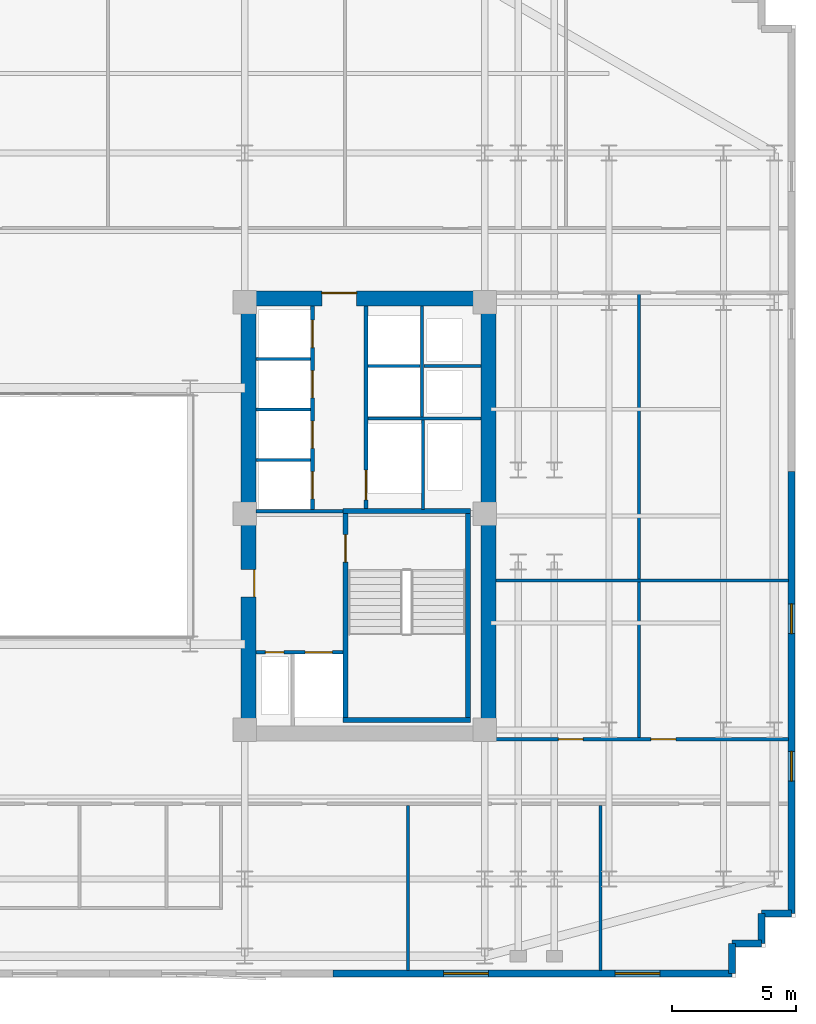
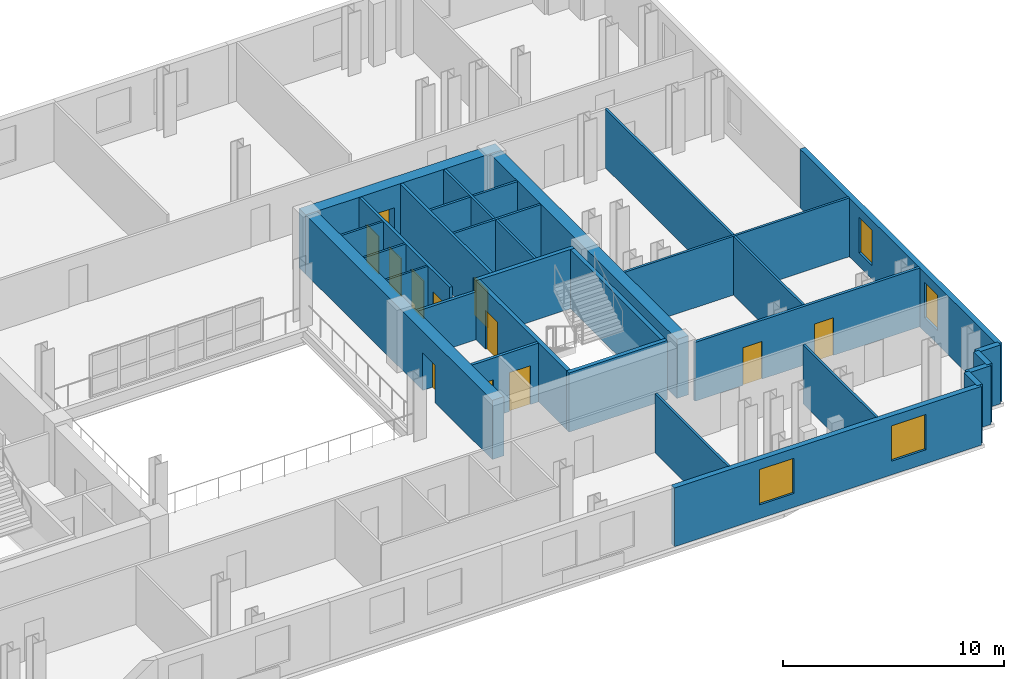
# One storey, part 9 of 12: 30 walls, 12 doors, 4 windows, 16 openings.
"""IFC4 building model written with IfcOpenShell, lengths in metres."""

from ifc_helpers import new_model, si_unit, direction, frame, frame_2d, origin, place, context, subcontext, project, spatial, rectangle, extrude, material, layer, layer_set, type_object, element, fill, save


model = new_model("IFC4")

# Units and contexts
model_context = context("Model", 3, precision=1e-05, world=origin(), true_north=direction((0.0, 1.0)))
body_context = subcontext(model_context, "Body", "Model", "MODEL_VIEW")
ifc_project = project(units=[si_unit("LENGTHUNIT", "METRE"), si_unit("AREAUNIT", "SQUARE_METRE"), si_unit("VOLUMEUNIT", "CUBIC_METRE"), si_unit("PLANEANGLEUNIT", "RADIAN"), si_unit("MASSUNIT", "GRAM", prefix="KILO")], contexts=[model_context])

# Site, building, storey
site_placement = place(None, origin())
site = spatial("IfcSite", under=ifc_project, at=site_placement, CompositionType="ELEMENT")
building_placement = place(site_placement, origin())
building = spatial("IfcBuilding", under=site, at=building_placement, Name="Velakula Bourse", CompositionType="ELEMENT")
storey_placement = place(building_placement, frame((0.0, 0.0, 148.449951171875)))
storey = spatial("IfcBuildingStorey", under=building, at=storey_placement, Name="L40", CompositionType="ELEMENT", Elevation=148.449951171875)

# Wall, opening, door
ifc_material_1 = material(Name="Concrete M50 (fck 50 MPa)", Category="concrete")
ifc_layer_1 = layer(ifc_material_1, 0.2099609375, Name="Concrete M50 (fck 50 MPa)", Category="concrete")
ifc_layer_set_1 = layer_set([ifc_layer_1], Name="Concrete M50 (fck 50 MPa)")
wall_type_1 = type_object("IfcWallType", Name="WL-CORE-210", PredefinedType="SHEAR", material=ifc_layer_set_1)
wall_1_placement = place(storey_placement, frame((12.9951171875, -8.10009765625, 0.0), z_axis=(0.0, 0.0, 1.0), x_axis=(0.0, 1.0, 0.0)))
wall_1 = element("IfcWall", 1, at=wall_1_placement, inside=storey, type_object=wall_type_1, Name="L40 Core E Stairwell Shear Wall IN", PredefinedType="SHEAR", context=body_context, shape_type="SweptSolid", body=[
    extrude(rectangle(XDim=8.2001953125, YDim=0.2099609375, at=frame_2d((4.10009765625, 0.0))), origin(), (0.0, 0.0, 1.0), 3.27001953125),
])
opening_1_placement = place(wall_1_placement, frame((6.25, 0.0, 0.0)))
opening_1 = element("IfcOpeningElement", 2, at=opening_1_placement, cuts=wall_1, Name="Opening D-STE1", PredefinedType="OPENING", context=body_context, shape_type="SweptSolid", body=[
    extrude(rectangle(XDim=1.10009765625, YDim=2.14990234375, at=frame_2d((0.550048828125, 1.074951171875))), frame((0.0, 0.114990234375, 0.0), z_axis=(0.0, -1.0, 0.0), x_axis=(1.0, 0.0, 0.0)), (0.0, 0.0, 1.0), 0.22998046875),
])
ifc_material_2 = material(Name="Galvanised painted hollow steel fire door", Category="steel")
door_type_1 = type_object("IfcDoorType", Name="DR-FD120-1100x2150", OperationType="NOTDEFINED", PredefinedType="DOOR", material=ifc_material_2)
door_1_placement = place(opening_1_placement, origin())
door_1 = element("IfcDoor", 3, at=door_1_placement, inside=storey, type_object=door_type_1, Name="L40 Stair ST-E1 Fire Door", OperationType="SINGLE_SWING_RIGHT", OverallHeight=2.14990234375, OverallWidth=1.10009765625, PredefinedType="DOOR", context=body_context, shape_type="SweptSolid", body=[
    extrude(rectangle(XDim=1.10009765625, YDim=2.14990234375, at=frame_2d((0.550048828125, 1.074951171875))), frame((0.0, 0.02490234375, 0.0), z_axis=(0.0, -1.0, 0.0), x_axis=(1.0, 0.0, 0.0)), (0.0, 0.0, 1.0), 0.050048828125),
])
fill(opening_1, door_1)

# Walls
wall_2_placement = place(storey_placement, frame((17.925048828125, -8.10009765625, 0.0), z_axis=(0.0, 0.0, 1.0), x_axis=(0.0, 1.0, 0.0)))
element("IfcWall", 4, at=wall_2_placement, inside=storey, type_object=wall_type_1, Name="L40 Core E Stairwell Shear Wall OUT", PredefinedType="SHEAR", context=body_context, shape_type="SweptSolid", body=[
    extrude(rectangle(XDim=8.2001953125, YDim=0.2099609375, at=frame_2d((4.10009765625, 0.0))), origin(), (0.0, 0.0, 1.0), 3.27001953125),
])
for number, where, z_axis, x_axis, name in (
    (5, (12.889892578125, -8.205078125, 0.0), (0.0, 0.0, 1.0), (1.0, 0.0, 0.0), "L40 Core E Stairwell Shear Wall S"),
    (6, (18.030029296875, 0.205078125, 0.0), (0.0, 0.0, 1.0), (-1.0, 0.0, 0.0), "L40 Core E Stairwell Shear Wall N"),
):
    element("IfcWall", number, at=place(storey_placement, frame(where, z_axis=z_axis, x_axis=x_axis)), inside=storey, type_object=wall_type_1, Name=name, PredefinedType="SHEAR", context=body_context, shape_type="SweptSolid", body=[
        extrude(rectangle(XDim=5.14013671875, YDim=0.2099609375, at=frame_2d((2.570068359375, 0.0))), origin(), (0.0, 0.0, 1.0), 3.27001953125),
    ])

# Wall, opening, door
ifc_material_3 = material(Name="Concrete M70 (fck 70 MPa)", Category="concrete")
ifc_layer_2 = layer(ifc_material_3, 0.60009765625, Name="Concrete M70 (fck 70 MPa)", Category="concrete")
ifc_layer_set_2 = layer_set([ifc_layer_2], Name="Concrete M70 (fck 70 MPa)")
wall_type_2 = type_object("IfcWallType", Name="WL-CORE-600", PredefinedType="SHEAR", material=ifc_layer_set_2)
wall_3_placement = place(storey_placement, frame((8.800048828125, 8.75, 0.0), z_axis=(0.0, 0.0, 1.0), x_axis=(1.0, 0.0, 0.0)))
wall_3 = element("IfcWall", 7, at=wall_3_placement, inside=storey, type_object=wall_type_2, Name="L40 Core E Shear Wall N", PredefinedType="SHEAR", context=body_context, shape_type="SweptSolid", body=[
    extrude(rectangle(XDim=10.25, YDim=0.60009765625, at=frame_2d((5.125, 0.0))), origin(), (0.0, 0.0, 1.0), 3.27001953125),
])
opening_2_placement = place(wall_3_placement, frame((3.25, 0.0, 0.0)))
opening_2 = element("IfcOpeningElement", 8, at=opening_2_placement, cuts=wall_3, Name="Opening D-LLE", PredefinedType="OPENING", context=body_context, shape_type="SweptSolid", body=[
    extrude(rectangle(XDim=1.39990234375, YDim=2.050048828125, at=frame_2d((0.699951171875, 1.02490234375))), frame((0.0, 0.31005859375, 0.0), z_axis=(0.0, -1.0, 0.0), x_axis=(1.0, 0.0, 0.0)), (0.0, 0.0, 1.0), 0.6201171875),
])
ifc_material_4 = material(Name="Fire-rated hardwood flush architectural door", Category="wood")
door_type_2 = type_object("IfcDoorType", Name="DR-DBL-FD60-1400", OperationType="DOUBLE_DOOR_SINGLE_SWING", PredefinedType="DOOR", material=ifc_material_4)
door_2_placement = place(opening_2_placement, origin())
door_2 = element("IfcDoor", 9, at=door_2_placement, inside=storey, type_object=door_type_2, Name="L40 Core E Lift Lobby Corridor Double Door", OperationType="DOUBLE_DOOR_SINGLE_SWING", OverallHeight=2.050048828125, OverallWidth=1.39990234375, PredefinedType="DOOR", context=body_context, shape_type="SweptSolid", body=[
    extrude(rectangle(XDim=1.39990234375, YDim=2.050048828125, at=frame_2d((0.699951171875, 1.02490234375))), frame((0.0, 0.2451171875, 0.0), z_axis=(0.0, -1.0, 0.0), x_axis=(1.0, 0.0, 0.0)), (0.0, 0.0, 1.0), 0.050048828125),
])
fill(opening_2, door_2)

wall_4_placement = place(storey_placement, frame((9.10009765625, -8.449951171875, 0.0), z_axis=(0.0, 0.0, 1.0), x_axis=(0.0, 1.0, 0.0)))
wall_4 = element("IfcWall", 10, at=wall_4_placement, inside=storey, type_object=wall_type_2, Name="L40 Core E Shear Wall W", PredefinedType="SHEAR", context=body_context, shape_type="SweptSolid", body=[
    extrude(rectangle(XDim=16.89990234375, YDim=0.60009765625, at=frame_2d((8.449951171875, 0.0))), origin(), (0.0, 0.0, 1.0), 3.27001953125),
])
opening_3_placement = place(wall_4_placement, frame((5.199951171875, 0.0, 0.0)))
opening_3 = element("IfcOpeningElement", 11, at=opening_3_placement, cuts=wall_4, Name="Opening D-FLE", PredefinedType="OPENING", context=body_context, shape_type="SweptSolid", body=[
    extrude(rectangle(XDim=1.10009765625, YDim=2.080078125, at=frame_2d((0.550048828125, 1.0400390625))), frame((0.0, 0.31005859375, 0.0), z_axis=(0.0, -1.0, 0.0), x_axis=(1.0, 0.0, 0.0)), (0.0, 0.0, 1.0), 0.6201171875),
])
door_type_3 = type_object("IfcDoorType", Name="DR-FD120-1100", OperationType="NOTDEFINED", PredefinedType="DOOR", material=ifc_material_2)
door_3_placement = place(opening_3_placement, origin())
door_3 = element("IfcDoor", 12, at=door_3_placement, inside=storey, type_object=door_type_3, Name="L40 Firefighting Lobby E Corridor Fire Door", OperationType="SINGLE_SWING_RIGHT", OverallHeight=2.080078125, OverallWidth=1.10009765625, PredefinedType="DOOR", context=body_context, shape_type="SweptSolid", body=[
    extrude(rectangle(XDim=1.10009765625, YDim=2.080078125, at=frame_2d((0.550048828125, 1.0400390625))), frame((0.0, -0.205078125, 0.0), z_axis=(0.0, -1.0, 0.0), x_axis=(1.0, 0.0, 0.0)), (0.0, 0.0, 1.0), 0.050048828125),
])
fill(opening_3, door_3)

# Wall
wall_5_placement = place(storey_placement, frame((18.75, -8.449951171875, 0.0), z_axis=(0.0, 0.0, 1.0), x_axis=(0.0, 1.0, 0.0)))
element("IfcWall", 13, at=wall_5_placement, inside=storey, type_object=wall_type_2, Name="L40 Core E Shear Wall E", PredefinedType="SHEAR", context=body_context, shape_type="SweptSolid", body=[
    extrude(rectangle(XDim=16.89990234375, YDim=0.60009765625, at=frame_2d((8.449951171875, 0.0))), origin(), (0.0, 0.0, 1.0), 3.27001953125),
])

# Wall, openings, windows
ifc_material_5 = material(Name="Red kilned clay facing brick masonry", Category="masonry")
ifc_layer_3 = layer(ifc_material_5, 0.280029296875, Name="Red kilned clay facing brick masonry", Category="masonry")
ifc_layer_set_3 = layer_set([ifc_layer_3], Name="Red kilned clay facing brick masonry")
wall_type_3 = type_object("IfcWallType", Name="WL-EXT-BRK-280", PredefinedType="STANDARD", material=ifc_layer_set_3)
wall_6_placement = place(storey_placement, frame((28.5400390625, -18.389892578125, 0.0), z_axis=(0.0, 0.0, 1.0), x_axis=(-1.0, 0.0, 0.0)))
wall_6 = element("IfcWall", 14, at=wall_6_placement, inside=storey, type_object=wall_type_3, Name="L40 S Brick Spandrel Wall B5", PredefinedType="STANDARD", context=body_context, shape_type="SweptSolid", body=[
    extrude(rectangle(XDim=16.0400390625, YDim=0.280029296875, at=frame_2d((8.02001953125, 0.0))), origin(), (0.0, 0.0, 1.0), 3.25),
])
opening_4_placement = place(wall_6_placement, frame((2.896728515625, 0.0, 0.760009765625)))
opening_4 = element("IfcOpeningElement", 15, at=opening_4_placement, cuts=wall_6, Name="Opening W-01", PredefinedType="OPENING", context=body_context, shape_type="SweptSolid", body=[
    extrude(rectangle(XDim=1.800048828125, YDim=1.949951171875, at=frame_2d((0.89990234375, 0.97509765625))), frame((0.0, 0.14990234375, 0.0), z_axis=(0.0, -1.0, 0.0), x_axis=(1.0, 0.0, 0.0)), (0.0, 0.0, 1.0), 0.300048828125),
])
opening_5_placement = place(wall_6_placement, frame((9.793212890625, 0.0, 0.760009765625)))
opening_5 = element("IfcOpeningElement", 16, at=opening_5_placement, cuts=wall_6, Name="Opening W-01", PredefinedType="OPENING", context=body_context, shape_type="SweptSolid", body=[
    extrude(rectangle(XDim=1.800048828125, YDim=1.949951171875, at=frame_2d((0.89990234375, 0.97509765625))), frame((0.0, 0.14990234375, 0.0), z_axis=(0.0, -1.0, 0.0), x_axis=(1.0, 0.0, 0.0)), (0.0, 0.0, 1.0), 0.300048828125),
])
ifc_material_6 = material(Name="Double-glazed solar-control Low-E glass", Category="glass")
window_type_1 = type_object("IfcWindowType", Name="WIN-TWR-1800x2100", PartitioningType="SINGLE_PANEL", PredefinedType="WINDOW", material=ifc_material_6)
window_1_placement = place(opening_4_placement, origin())
window_1 = element("IfcWindow", 17, at=window_1_placement, inside=storey, type_object=window_type_1, Name="L40 Deep-Set Recessed Window 1", OverallHeight=1.949951171875, OverallWidth=1.800048828125, PartitioningType="SINGLE_PANEL", PredefinedType="WINDOW", context=body_context, shape_type="SweptSolid", body=[
    extrude(rectangle(XDim=1.800048828125, YDim=1.949951171875, at=frame_2d((0.89990234375, 0.97509765625))), frame((0.0, 0.030029296875, 0.0), z_axis=(0.0, -1.0, 0.0), x_axis=(1.0, 0.0, 0.0)), (0.0, 0.0, 1.0), 0.06005859375),
])
fill(opening_4, window_1)
window_2_placement = place(opening_5_placement, origin())
window_2 = element("IfcWindow", 18, at=window_2_placement, inside=storey, type_object=window_type_1, Name="L40 Deep-Set Recessed Window 2", OverallHeight=1.949951171875, OverallWidth=1.800048828125, PartitioningType="SINGLE_PANEL", PredefinedType="WINDOW", context=body_context, shape_type="SweptSolid", body=[
    extrude(rectangle(XDim=1.800048828125, YDim=1.949951171875, at=frame_2d((0.89990234375, 0.97509765625))), frame((0.0, 0.030029296875, 0.0), z_axis=(0.0, -1.0, 0.0), x_axis=(1.0, 0.0, 0.0)), (0.0, 0.0, 1.0), 0.06005859375),
])
fill(opening_5, window_2)

wall_7_placement = place(storey_placement, frame((30.93994140625, 1.800048828125, 0.0), z_axis=(0.0, 0.0, 1.0), x_axis=(0.0, -1.0, 0.0)))
wall_7 = element("IfcWall", 19, at=wall_7_placement, inside=storey, type_object=wall_type_3, Name="L40 E Brick End Wall W1", PredefinedType="STANDARD", context=body_context, shape_type="SweptSolid", body=[
    extrude(rectangle(XDim=17.7900390625, YDim=0.280029296875, at=frame_2d((8.89501953125, 0.0))), origin(), (0.0, 0.0, 1.0), 3.25),
])
opening_6_placement = place(wall_7_placement, frame((5.330078125, 0.0, 0.760009765625)))
opening_6 = element("IfcOpeningElement", 20, at=opening_6_placement, cuts=wall_7, Name="Opening W-04", PredefinedType="OPENING", context=body_context, shape_type="SweptSolid", body=[
    extrude(rectangle(XDim=1.199951171875, YDim=1.949951171875, at=frame_2d((0.60009765625, 0.97509765625))), frame((0.0, 0.14990234375, 0.0), z_axis=(0.0, -1.0, 0.0), x_axis=(1.0, 0.0, 0.0)), (0.0, 0.0, 1.0), 0.300048828125),
])
opening_7_placement = place(wall_7_placement, frame((11.260009765625, 0.0, 0.760009765625)))
opening_7 = element("IfcOpeningElement", 21, at=opening_7_placement, cuts=wall_7, Name="Opening W-04", PredefinedType="OPENING", context=body_context, shape_type="SweptSolid", body=[
    extrude(rectangle(XDim=1.199951171875, YDim=1.949951171875, at=frame_2d((0.60009765625, 0.97509765625))), frame((0.0, 0.14990234375, 0.0), z_axis=(0.0, -1.0, 0.0), x_axis=(1.0, 0.0, 0.0)), (0.0, 0.0, 1.0), 0.300048828125),
])
window_type_2 = type_object("IfcWindowType", Name="WIN-TWR-1200x2100", PartitioningType="SINGLE_PANEL", PredefinedType="WINDOW", material=ifc_material_6)
window_3_placement = place(opening_6_placement, origin())
window_3 = element("IfcWindow", 22, at=window_3_placement, inside=storey, type_object=window_type_2, Name="L40 Deep-Set Recessed Window 1", OverallHeight=1.949951171875, OverallWidth=1.199951171875, PartitioningType="SINGLE_PANEL", PredefinedType="WINDOW", context=body_context, shape_type="SweptSolid", body=[
    extrude(rectangle(XDim=1.199951171875, YDim=1.949951171875, at=frame_2d((0.60009765625, 0.97509765625))), frame((0.0, 0.030029296875, 0.0), z_axis=(0.0, -1.0, 0.0), x_axis=(1.0, 0.0, 0.0)), (0.0, 0.0, 1.0), 0.06005859375),
])
fill(opening_6, window_3)
window_4_placement = place(opening_7_placement, origin())
window_4 = element("IfcWindow", 23, at=window_4_placement, inside=storey, type_object=window_type_2, Name="L40 Deep-Set Recessed Window 2", OverallHeight=1.949951171875, OverallWidth=1.199951171875, PartitioningType="SINGLE_PANEL", PredefinedType="WINDOW", context=body_context, shape_type="SweptSolid", body=[
    extrude(rectangle(XDim=1.199951171875, YDim=1.949951171875, at=frame_2d((0.60009765625, 0.97509765625))), frame((0.0, 0.030029296875, 0.0), z_axis=(0.0, -1.0, 0.0), x_axis=(1.0, 0.0, 0.0)), (0.0, 0.0, 1.0), 0.06005859375),
])
fill(opening_7, window_4)

# Walls
for number, where, z_axis, x_axis, name in (
    (24, (28.5400390625, -18.389892578125, 0.0), (0.0, 0.0, 1.0), (0.0, 1.0, 0.0), "L40 Serrated Corner Brick Wall SE-1"),
    (25, (28.5400390625, -17.18994140625, 0.0), (0.0, 0.0, 1.0), (1.0, 0.0, 0.0), "L40 Serrated Corner Brick Wall SE-2"),
    (26, (29.739990234375, -17.18994140625, 0.0), (0.0, 0.0, 1.0), (0.0, 1.0, 0.0), "L40 Serrated Corner Brick Wall SE-3"),
    (27, (29.739990234375, -15.989990234375, 0.0), (0.0, 0.0, 1.0), (1.0, 0.0, 0.0), "L40 Serrated Corner Brick Wall SE-4"),
):
    element("IfcWall", number, at=place(storey_placement, frame(where, z_axis=z_axis, x_axis=x_axis)), inside=storey, type_object=wall_type_3, Name=name, PredefinedType="STANDARD", context=body_context, shape_type="SweptSolid", body=[
        extrude(rectangle(XDim=1.199951171875, YDim=0.280029296875, at=frame_2d((0.60009765625, 0.0))), origin(), (0.0, 0.0, 1.0), 3.25),
    ])
ifc_material_7 = material(Name="Fire-rated double-layer gypsum drywall partition", Category="gypsum")
ifc_layer_4 = layer(ifc_material_7, 0.1201171875, Name="Fire-rated double-layer gypsum drywall partition", Category="gypsum")
ifc_layer_set_4 = layer_set([ifc_layer_4], Name="Fire-rated double-layer gypsum drywall partition")
wall_type_4 = type_object("IfcWallType", Name="WL-PART-120", PredefinedType="STANDARD", material=ifc_layer_set_4)
for number, where, z_axis, x_axis, name in (
    (28, (9.39990234375, 2.2548828125, 0.0), (0.0, 0.0, 1.0), (1.0, 0.0, 0.0), "L40 Interior Partition WL-CRE-L40-BDIV-0"),
    (29, (9.39990234375, 4.284912109375, 0.0), (0.0, 0.0, 1.0), (1.0, 0.0, 0.0), "L40 Interior Partition WL-CRE-L40-BDIV-1"),
    (30, (9.39990234375, 6.31494140625, 0.0), (0.0, 0.0, 1.0), (1.0, 0.0, 0.0), "L40 Interior Partition WL-CRE-L40-BDIV-2"),
):
    element("IfcWall", number, at=place(storey_placement, frame(where, z_axis=z_axis, x_axis=x_axis)), inside=storey, type_object=wall_type_4, Name=name, PredefinedType="STANDARD", context=body_context, shape_type="SweptSolid", body=[
        extrude(rectangle(XDim=2.2001953125, YDim=0.110107421875, at=frame_2d((1.10009765625, 0.0))), origin(), (0.0, 0.0, 1.0), 3.25),
    ])
wall_8_placement = place(storey_placement, frame((13.89990234375, 3.919921875, 0.0), z_axis=(0.0, 0.0, 1.0), x_axis=(1.0, 0.0, 0.0)))
element("IfcWall", 31, at=wall_8_placement, inside=storey, type_object=wall_type_4, Name="L40 Interior Partition WL-CRE-L40-HI-S", PredefinedType="STANDARD", context=body_context, shape_type="SweptSolid", body=[
    extrude(rectangle(XDim=4.550048828125, YDim=0.1201171875, at=frame_2d((2.27490234375, 0.0))), origin(), (0.0, 0.0, 1.0), 3.25),
])
wall_9_placement = place(storey_placement, frame((16.14990234375, 6.030029296875, 0.0), z_axis=(0.0, 0.0, 1.0), x_axis=(1.0, 0.0, 0.0)))
element("IfcWall", 32, at=wall_9_placement, inside=storey, type_object=wall_type_4, Name="L40 Interior Partition WL-CRE-L40-RIS-MID", PredefinedType="STANDARD", context=body_context, shape_type="SweptSolid", body=[
    extrude(rectangle(XDim=2.300048828125, YDim=0.1201171875, at=frame_2d((1.14990234375, 0.0))), origin(), (0.0, 0.0, 1.0), 3.25),
])
wall_10_placement = place(storey_placement, frame((16.074951171875, 3.97998046875, 0.0), z_axis=(0.0, 0.0, 1.0), x_axis=(0.0, 1.0, 0.0)))
element("IfcWall", 33, at=wall_10_placement, inside=storey, type_object=wall_type_4, Name="L40 Interior Partition WL-CRE-L40-RIS-F", PredefinedType="STANDARD", context=body_context, shape_type="SweptSolid", body=[
    extrude(rectangle(XDim=4.469970703125, YDim=0.1201171875, at=frame_2d((2.23486328125, 0.0))), origin(), (0.0, 0.0, 1.0), 3.25),
])
wall_11_placement = place(storey_placement, frame((13.89990234375, 6.030029296875, 0.0), z_axis=(0.0, 0.0, 1.0), x_axis=(1.0, 0.0, 0.0)))
element("IfcWall", 34, at=wall_11_placement, inside=storey, type_object=wall_type_4, Name="L40 Interior Partition WL-CRE-L40-HI-DIV", PredefinedType="STANDARD", context=body_context, shape_type="SweptSolid", body=[
    extrude(rectangle(XDim=2.10009765625, YDim=0.1201171875, at=frame_2d((1.050048828125, 0.0))), origin(), (0.0, 0.0, 1.0), 3.25),
])
wall_12_placement = place(storey_placement, frame((16.125, 0.27001953125, 0.0), z_axis=(0.0, 0.0, 1.0), x_axis=(0.0, 1.0, 0.0)))
element("IfcWall", 35, at=wall_12_placement, inside=storey, type_object=wall_type_4, Name="L40 Interior Partition WL-CRE-L40-SVL-E", PredefinedType="STANDARD", context=body_context, shape_type="SweptSolid", body=[
    extrude(rectangle(XDim=3.590087890625, YDim=0.1201171875, at=frame_2d((1.794921875, 0.0))), origin(), (0.0, 0.0, 1.0), 3.25),
])
for number, where, z_axis, x_axis, name in (
    (36, (15.510986328125, -18.27001953125, 0.0), (0.0, 0.0, 1.0), (0.0, 1.0, 0.0), "L40 Interior Partition WL-INT-L40-SR-D7"),
    (37, (23.2490234375, -18.27001953125, 0.0), (0.0, 0.0, 1.0), (0.0, 1.0, 0.0), "L40 Interior Partition WL-INT-L40-SR-D8"),
):
    element("IfcWall", number, at=place(storey_placement, frame(where, z_axis=z_axis, x_axis=x_axis)), inside=storey, type_object=wall_type_4, Name=name, PredefinedType="STANDARD", context=body_context, shape_type="SweptSolid", body=[
        extrude(rectangle(XDim=6.630126953125, YDim=0.1201171875, at=frame_2d((3.31494140625, 0.0))), origin(), (0.0, 0.0, 1.0), 3.25),
    ])
wall_13_placement = place(storey_placement, frame((19.050048828125, -2.60009765625, 0.0), z_axis=(0.0, 0.0, 1.0), x_axis=(1.0, 0.0, 0.0)))
element("IfcWall", 38, at=wall_13_placement, inside=storey, type_object=wall_type_4, Name="L40 Interior Partition WL-INT-L40-E-H", PredefinedType="STANDARD", context=body_context, shape_type="SweptSolid", body=[
    extrude(rectangle(XDim=11.77001953125, YDim=0.1201171875, at=frame_2d((5.885009765625, 0.0))), origin(), (0.0, 0.0, 1.0), 3.25),
])
wall_14_placement = place(storey_placement, frame((24.804931640625, -8.97998046875, 0.0), z_axis=(0.0, 0.0, 1.0), x_axis=(0.0, 1.0, 0.0)))
element("IfcWall", 39, at=wall_14_placement, inside=storey, type_object=wall_type_4, Name="L40 Interior Partition WL-INT-L40-E-V1", PredefinedType="STANDARD", context=body_context, shape_type="SweptSolid", body=[
    extrude(rectangle(XDim=17.9599609375, YDim=0.1201171875, at=frame_2d((8.97998046875, 0.0))), origin(), (0.0, 0.0, 1.0), 3.25),
])

# Wall, openings, doors
ifc_layer_5 = layer(ifc_material_7, 0.139892578125, Name="Fire-rated double-layer gypsum drywall partition", Category="gypsum")
ifc_layer_set_5 = layer_set([ifc_layer_5], Name="Fire-rated double-layer gypsum drywall partition")
wall_type_5 = type_object("IfcWallType", Name="WL-PART-140", PredefinedType="STANDARD", material=ifc_layer_set_5)
wall_15_placement = place(storey_placement, frame((19.050048828125, -8.97998046875, 0.0), z_axis=(0.0, 0.0, 1.0), x_axis=(1.0, 0.0, 0.0)))
wall_15 = element("IfcWall", 40, at=wall_15_placement, inside=storey, type_object=wall_type_5, Name="L40 Interior Partition WL-INT-L40-E-SC", PredefinedType="STANDARD", context=body_context, shape_type="SweptSolid", body=[
    extrude(rectangle(XDim=11.77001953125, YDim=0.139892578125, at=frame_2d((5.885009765625, 0.0))), origin(), (0.0, 0.0, 1.0), 3.25),
])
opening_8_placement = place(wall_15_placement, frame((2.507568359375, 0.0, 0.0)))
opening_8 = element("IfcOpeningElement", 41, at=opening_8_placement, cuts=wall_15, Name="Opening D-OF1", PredefinedType="OPENING", context=body_context, shape_type="SweptSolid", body=[
    extrude(rectangle(XDim=1.0, YDim=2.080078125, at=frame_2d((0.5, 1.0400390625))), frame((0.0, 0.079833984375, 0.0), z_axis=(0.0, -1.0, 0.0), x_axis=(1.0, 0.0, 0.0)), (0.0, 0.0, 1.0), 0.159912109375),
])
opening_9_placement = place(wall_15_placement, frame((6.236328125, 0.0, 0.0)))
opening_9 = element("IfcOpeningElement", 42, at=opening_9_placement, cuts=wall_15, Name="Opening D-OF1", PredefinedType="OPENING", context=body_context, shape_type="SweptSolid", body=[
    extrude(rectangle(XDim=1.0, YDim=2.080078125, at=frame_2d((0.5, 1.0400390625))), frame((0.0, 0.079833984375, 0.0), z_axis=(0.0, -1.0, 0.0), x_axis=(1.0, 0.0, 0.0)), (0.0, 0.0, 1.0), 0.159912109375),
])
door_type_4 = type_object("IfcDoorType", Name="DR-OFF-1000", OperationType="NOTDEFINED", PredefinedType="DOOR", material=ifc_material_4)
door_4_placement = place(opening_8_placement, origin())
door_4 = element("IfcDoor", 43, at=door_4_placement, inside=storey, type_object=door_type_4, Name="L40 Chief Risk Officer Chamber Door", OperationType="SINGLE_SWING_LEFT", OverallHeight=2.080078125, OverallWidth=1.0, PredefinedType="DOOR", context=body_context, shape_type="SweptSolid", body=[
    extrude(rectangle(XDim=1.0, YDim=2.080078125, at=frame_2d((0.5, 1.0400390625))), frame((0.0, 0.02490234375, 0.0), z_axis=(0.0, -1.0, 0.0), x_axis=(1.0, 0.0, 0.0)), (0.0, 0.0, 1.0), 0.050048828125),
])
fill(opening_8, door_4)
door_5_placement = place(opening_9_placement, origin())
door_5 = element("IfcDoor", 44, at=door_5_placement, inside=storey, type_object=door_type_4, Name="L40 Yield Curve Seminar Room Door", OperationType="SINGLE_SWING_RIGHT", OverallHeight=2.080078125, OverallWidth=1.0, PredefinedType="DOOR", context=body_context, shape_type="SweptSolid", body=[
    extrude(rectangle(XDim=1.0, YDim=2.080078125, at=frame_2d((0.5, 1.0400390625))), frame((0.0, 0.02490234375, 0.0), z_axis=(0.0, -1.0, 0.0), x_axis=(1.0, 0.0, 0.0)), (0.0, 0.0, 1.0), 0.050048828125),
])
fill(opening_9, door_5)

ifc_material_8 = material(Name="Autoclaved aerated concrete blockwork masonry", Category="masonry")
ifc_layer_6 = layer(ifc_material_8, 0.14990234375, Name="Autoclaved aerated concrete blockwork masonry", Category="masonry")
ifc_layer_set_6 = layer_set([ifc_layer_6], Name="Autoclaved aerated concrete blockwork masonry")
wall_type_6 = type_object("IfcWallType", Name="WL-SHAFT-150", PredefinedType="STANDARD", material=ifc_layer_set_6)
wall_16_placement = place(storey_placement, frame((9.39990234375, -5.47509765625, 0.0), z_axis=(0.0, 0.0, 1.0), x_axis=(1.0, 0.0, 0.0)))
wall_16 = element("IfcWall", 45, at=wall_16_placement, inside=storey, type_object=wall_type_6, Name="L40 Interior Partition WL-CRE-L40-FFL-N", PredefinedType="STANDARD", context=body_context, shape_type="SweptSolid", body=[
    extrude(rectangle(XDim=3.4951171875, YDim=0.14990234375, at=frame_2d((1.74755859375, 0.0))), origin(), (0.0, 0.0, 1.0), 3.25),
])
opening_10_placement = place(wall_16_placement, frame((1.97509765625, 0.0, 0.0)))
opening_10 = element("IfcOpeningElement", 46, at=opening_10_placement, cuts=wall_16, Name="Opening LD-FFL-2", PredefinedType="OPENING", context=body_context, shape_type="SweptSolid", body=[
    extrude(rectangle(XDim=1.10009765625, YDim=2.14990234375, at=frame_2d((0.550048828125, 1.074951171875))), frame((0.0, 0.0849609375, 0.0), z_axis=(0.0, -1.0, 0.0), x_axis=(1.0, 0.0, 0.0)), (0.0, 0.0, 1.0), 0.169921875),
])
opening_11_placement = place(wall_16_placement, frame((0.375, 0.0, 0.0)))
opening_11 = element("IfcOpeningElement", 47, at=opening_11_placement, cuts=wall_16, Name="Opening D-RS1", PredefinedType="OPENING", context=body_context, shape_type="SweptSolid", body=[
    extrude(rectangle(XDim=0.75, YDim=2.050048828125, at=frame_2d((0.375, 1.02490234375))), frame((0.0, 0.0849609375, 0.0), z_axis=(0.0, -1.0, 0.0), x_axis=(1.0, 0.0, 0.0)), (0.0, 0.0, 1.0), 0.169921875),
])
door_type_5 = type_object("IfcDoorType", Name="DR-RISER-800", OperationType="NOTDEFINED", PredefinedType="DOOR", material=ifc_material_2)
door_6_placement = place(opening_11_placement, origin())
door_6 = element("IfcDoor", 48, at=door_6_placement, inside=storey, type_object=door_type_5, Name="L40 Fire Riser Access Door", OperationType="SINGLE_SWING_LEFT", OverallHeight=2.050048828125, OverallWidth=0.75, PredefinedType="DOOR", context=body_context, shape_type="SweptSolid", body=[
    extrude(rectangle(XDim=0.75, YDim=2.050048828125, at=frame_2d((0.375, 1.02490234375))), frame((0.0, 0.02490234375, 0.0), z_axis=(0.0, -1.0, 0.0), x_axis=(1.0, 0.0, 0.0)), (0.0, 0.0, 1.0), 0.050048828125),
])
fill(opening_11, door_6)
ifc_material_9 = material(Name="Brushed grade 316 stainless steel", Category="steel")
door_type_6 = type_object("IfcDoorType", Name="DR-SLIDE-FFL-1100", OperationType="DOUBLE_DOOR_SLIDING", PredefinedType="DOOR", material=ifc_material_9)
door_7_placement = place(opening_10_placement, origin())
door_7 = element("IfcDoor", 49, at=door_7_placement, inside=storey, type_object=door_type_6, Name="L40 Firefighting Lift FFL-2 Sliding Landing Door", OperationType="DOUBLE_DOOR_SLIDING", OverallHeight=2.14990234375, OverallWidth=1.10009765625, PredefinedType="DOOR", context=body_context, shape_type="SweptSolid", body=[
    extrude(rectangle(XDim=1.10009765625, YDim=2.14990234375, at=frame_2d((0.550048828125, 1.074951171875))), frame((0.0, 0.02490234375, 0.0), z_axis=(0.0, -1.0, 0.0), x_axis=(1.0, 0.0, 0.0)), (0.0, 0.0, 1.0), 0.050048828125),
])
fill(opening_10, door_7)

# Wall
wall_17_placement = place(storey_placement, frame((9.39990234375, 0.18994140625, 0.0), z_axis=(0.0, 0.0, 1.0), x_axis=(1.0, 0.0, 0.0)))
element("IfcWall", 50, at=wall_17_placement, inside=storey, type_object=wall_type_6, Name="L40 Interior Partition WL-CRE-L40-FF-TOP", PredefinedType="STANDARD", context=body_context, shape_type="SweptSolid", body=[
    extrude(rectangle(XDim=3.489990234375, YDim=0.14990234375, at=frame_2d((1.7451171875, 0.0))), origin(), (0.0, 0.0, 1.0), 2.64501953125),
])

# Wall, openings, doors
wall_18_placement = place(storey_placement, frame((11.675048828125, 0.27001953125, 0.0), z_axis=(0.0, 0.0, 1.0), x_axis=(0.0, 1.0, 0.0)))
wall_18 = element("IfcWall", 51, at=wall_18_placement, inside=storey, type_object=wall_type_6, Name="L40 Interior Partition WL-CRE-L40-BANK-F", PredefinedType="STANDARD", context=body_context, shape_type="SweptSolid", body=[
    extrude(rectangle(XDim=8.179931640625, YDim=0.14990234375, at=frame_2d((4.08984375, 0.0))), origin(), (0.0, 0.0, 1.0), 3.25),
])
opening_12_placement = place(wall_18_placement, frame((0.419921875, 0.0, 0.0)))
opening_12 = element("IfcOpeningElement", 52, at=opening_12_placement, cuts=wall_18, Name="Opening LD-P5", PredefinedType="OPENING", context=body_context, shape_type="SweptSolid", body=[
    extrude(rectangle(XDim=1.10009765625, YDim=2.10009765625, at=frame_2d((0.550048828125, 1.050048828125))), frame((0.0, 0.0849609375, 0.0), z_axis=(0.0, -1.0, 0.0), x_axis=(1.0, 0.0, 0.0)), (0.0, 0.0, 1.0), 0.169921875),
])
opening_13_placement = place(wall_18_placement, frame((2.449951171875, 0.0, 0.0)))
opening_13 = element("IfcOpeningElement", 53, at=opening_13_placement, cuts=wall_18, Name="Opening LD-P6", PredefinedType="OPENING", context=body_context, shape_type="SweptSolid", body=[
    extrude(rectangle(XDim=1.10009765625, YDim=2.10009765625, at=frame_2d((0.550048828125, 1.050048828125))), frame((0.0, 0.0849609375, 0.0), z_axis=(0.0, -1.0, 0.0), x_axis=(1.0, 0.0, 0.0)), (0.0, 0.0, 1.0), 0.169921875),
])
opening_14_placement = place(wall_18_placement, frame((4.47998046875, 0.0, 0.0)))
opening_14 = element("IfcOpeningElement", 54, at=opening_14_placement, cuts=wall_18, Name="Opening LD-P7", PredefinedType="OPENING", context=body_context, shape_type="SweptSolid", body=[
    extrude(rectangle(XDim=1.10009765625, YDim=2.10009765625, at=frame_2d((0.550048828125, 1.050048828125))), frame((0.0, 0.0849609375, 0.0), z_axis=(0.0, -1.0, 0.0), x_axis=(1.0, 0.0, 0.0)), (0.0, 0.0, 1.0), 0.169921875),
])
opening_15_placement = place(wall_18_placement, frame((6.510009765625, 0.0, 0.0)))
opening_15 = element("IfcOpeningElement", 55, at=opening_15_placement, cuts=wall_18, Name="Opening LD-P8", PredefinedType="OPENING", context=body_context, shape_type="SweptSolid", body=[
    extrude(rectangle(XDim=1.10009765625, YDim=2.10009765625, at=frame_2d((0.550048828125, 1.050048828125))), frame((0.0, 0.0849609375, 0.0), z_axis=(0.0, -1.0, 0.0), x_axis=(1.0, 0.0, 0.0)), (0.0, 0.0, 1.0), 0.169921875),
])
door_type_7 = type_object("IfcDoorType", Name="DR-SLIDE-LD-1100", OperationType="DOUBLE_DOOR_SLIDING", PredefinedType="DOOR", material=ifc_material_9)
door_8_placement = place(opening_12_placement, origin())
door_8 = element("IfcDoor", 56, at=door_8_placement, inside=storey, type_object=door_type_7, Name="L40 Passenger Lift P5 Sliding Landing Door", OperationType="DOUBLE_DOOR_SLIDING", OverallHeight=2.10009765625, OverallWidth=1.10009765625, PredefinedType="DOOR", context=body_context, shape_type="SweptSolid", body=[
    extrude(rectangle(XDim=1.10009765625, YDim=2.10009765625, at=frame_2d((0.550048828125, 1.050048828125))), frame((0.0, 0.02490234375, 0.0), z_axis=(0.0, -1.0, 0.0), x_axis=(1.0, 0.0, 0.0)), (0.0, 0.0, 1.0), 0.050048828125),
])
fill(opening_12, door_8)
door_9_placement = place(opening_13_placement, origin())
door_9 = element("IfcDoor", 57, at=door_9_placement, inside=storey, type_object=door_type_7, Name="L40 Passenger Lift P6 Sliding Landing Door", OperationType="DOUBLE_DOOR_SLIDING", OverallHeight=2.10009765625, OverallWidth=1.10009765625, PredefinedType="DOOR", context=body_context, shape_type="SweptSolid", body=[
    extrude(rectangle(XDim=1.10009765625, YDim=2.10009765625, at=frame_2d((0.550048828125, 1.050048828125))), frame((0.0, 0.02490234375, 0.0), z_axis=(0.0, -1.0, 0.0), x_axis=(1.0, 0.0, 0.0)), (0.0, 0.0, 1.0), 0.050048828125),
])
fill(opening_13, door_9)
door_10_placement = place(opening_14_placement, origin())
door_10 = element("IfcDoor", 58, at=door_10_placement, inside=storey, type_object=door_type_7, Name="L40 Passenger Lift P7 Sliding Landing Door", OperationType="DOUBLE_DOOR_SLIDING", OverallHeight=2.10009765625, OverallWidth=1.10009765625, PredefinedType="DOOR", context=body_context, shape_type="SweptSolid", body=[
    extrude(rectangle(XDim=1.10009765625, YDim=2.10009765625, at=frame_2d((0.550048828125, 1.050048828125))), frame((0.0, 0.02490234375, 0.0), z_axis=(0.0, -1.0, 0.0), x_axis=(1.0, 0.0, 0.0)), (0.0, 0.0, 1.0), 0.050048828125),
])
fill(opening_14, door_10)
door_11_placement = place(opening_15_placement, origin())
door_11 = element("IfcDoor", 59, at=door_11_placement, inside=storey, type_object=door_type_7, Name="L40 Passenger Lift P8 Sliding Landing Door", OperationType="DOUBLE_DOOR_SLIDING", OverallHeight=2.10009765625, OverallWidth=1.10009765625, PredefinedType="DOOR", context=body_context, shape_type="SweptSolid", body=[
    extrude(rectangle(XDim=1.10009765625, YDim=2.10009765625, at=frame_2d((0.550048828125, 1.050048828125))), frame((0.0, 0.02490234375, 0.0), z_axis=(0.0, -1.0, 0.0), x_axis=(1.0, 0.0, 0.0)), (0.0, 0.0, 1.0), 0.050048828125),
])
fill(opening_15, door_11)

# Wall, opening, door
wall_19_placement = place(storey_placement, frame((13.824951171875, 0.27001953125, 0.0), z_axis=(0.0, 0.0, 1.0), x_axis=(0.0, 1.0, 0.0)))
wall_19 = element("IfcWall", 60, at=wall_19_placement, inside=storey, type_object=wall_type_6, Name="L40 Interior Partition WL-CRE-L40-OUT-F", PredefinedType="STANDARD", context=body_context, shape_type="SweptSolid", body=[
    extrude(rectangle(XDim=8.179931640625, YDim=0.14990234375, at=frame_2d((4.08984375, 0.0))), origin(), (0.0, 0.0, 1.0), 3.25),
])
opening_16_placement = place(wall_19_placement, frame((0.3798828125, 0.0, 0.0)))
opening_16 = element("IfcOpeningElement", 61, at=opening_16_placement, cuts=wall_19, Name="Opening LD-SVL1", PredefinedType="OPENING", context=body_context, shape_type="SweptSolid", body=[
    extrude(rectangle(XDim=1.199951171875, YDim=2.10009765625, at=frame_2d((0.60009765625, 1.050048828125))), frame((0.0, 0.0849609375, 0.0), z_axis=(0.0, -1.0, 0.0), x_axis=(1.0, 0.0, 0.0)), (0.0, 0.0, 1.0), 0.169921875),
])
door_type_8 = type_object("IfcDoorType", Name="DR-SLIDE-LD-1200", OperationType="DOUBLE_DOOR_SLIDING", PredefinedType="DOOR", material=ifc_material_9)
door_12_placement = place(opening_16_placement, origin())
door_12 = element("IfcDoor", 62, at=door_12_placement, inside=storey, type_object=door_type_8, Name="L40 Service Lift SVL-1 Sliding Landing Door", OperationType="DOUBLE_DOOR_SLIDING", OverallHeight=2.10009765625, OverallWidth=1.199951171875, PredefinedType="DOOR", context=body_context, shape_type="SweptSolid", body=[
    extrude(rectangle(XDim=1.199951171875, YDim=2.10009765625, at=frame_2d((0.60009765625, 1.050048828125))), frame((0.0, 0.02490234375, 0.0), z_axis=(0.0, -1.0, 0.0), x_axis=(1.0, 0.0, 0.0)), (0.0, 0.0, 1.0), 0.050048828125),
])
fill(opening_16, door_12)

save(model, "model.ifc")
